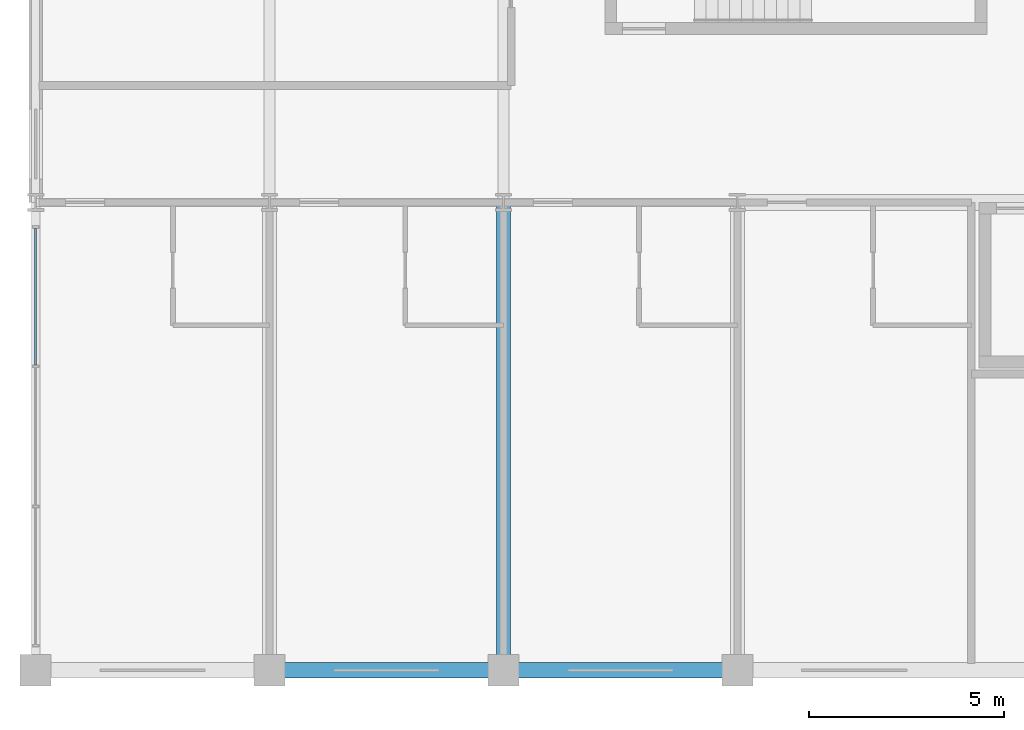
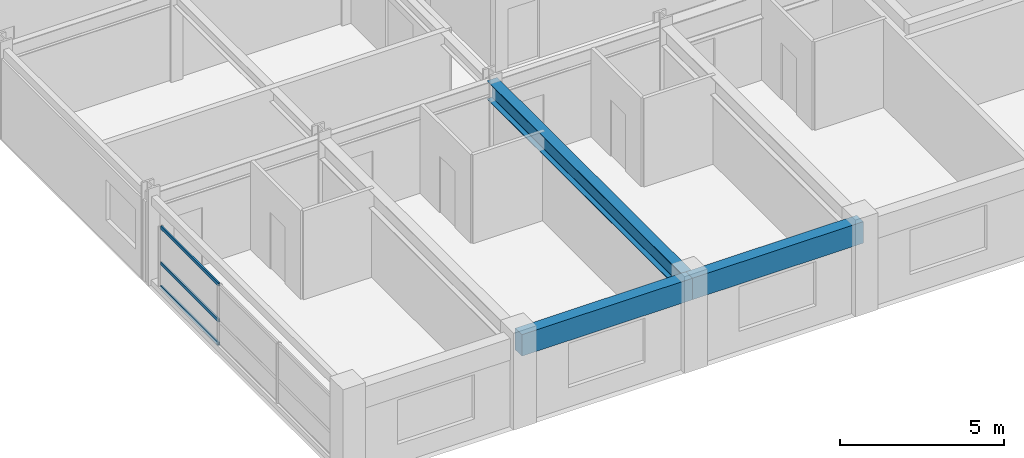
# One storey, part 3 of 27: 3 beams, 3 members, 1 element without a shape of its own.
"""IFC4 building model written with IfcOpenShell, lengths in metres."""

from ifc_helpers import new_model, si_unit, direction, frame, origin, origin_2d, place, context, subcontext, project, spatial, rectangle, hollow_rectangle, i_section, extrude, material, material_profile, profile_set, type_object, element, aggregate, save


model = new_model("IFC4")

# Units and contexts
model_context = context("Model", 3, precision=1e-05, world=origin(), true_north=direction((0.0, 1.0)))
body_context = subcontext(model_context, "Body", "Model", "MODEL_VIEW")
ifc_project = project(units=[si_unit("LENGTHUNIT", "METRE"), si_unit("AREAUNIT", "SQUARE_METRE"), si_unit("VOLUMEUNIT", "CUBIC_METRE"), si_unit("PLANEANGLEUNIT", "RADIAN"), si_unit("MASSUNIT", "GRAM", prefix="KILO")], contexts=[model_context])

# Site, building, storey
site_placement = place(None, origin())
site = spatial("IfcSite", under=ifc_project, at=site_placement, CompositionType="ELEMENT")
building_placement = place(site_placement, origin())
building = spatial("IfcBuilding", under=site, at=building_placement, Name="Kaldorvane Square Convention Centre", CompositionType="ELEMENT")
storey_placement = place(building_placement, frame((0.0, 0.0, 38.399993896484375)))
storey = spatial("IfcBuildingStorey", under=building, at=storey_placement, Name="L08", CompositionType="ELEMENT", Elevation=38.399993896484375)

# Beams
ifc_material_1 = material(Name="Steel ASTM A992 Gr. 50", Category="steel")
ifc_material_profile_1 = material_profile(ifc_material_1, i_section(OverallWidth=0.354705810546875, OverallDepth=0.69549560546875, WebThickness=0.0153961181640625, FlangeThickness=0.0251007080078125, FilletRadius=0.01519775390625, at=origin_2d()), Name="W27X146")
ifc_profile_set_1 = profile_set([ifc_material_profile_1], Name="Steel ASTM A992 Gr. 50")
beam_type_1 = type_object("IfcBeamType", Name="BM-GR-W27X146", PredefinedType="BEAM", material=ifc_profile_set_1)
beam_placement = place(storey_placement, frame((36.0, 84.0, 2.9383087158203125), z_axis=(0.0, 1.0, 0.0), x_axis=(-1.0, 0.0, 0.0)))
element("IfcBeam", 1, at=beam_placement, inside=storey, type_object=beam_type_1, Name="Transverse Girder (L08)", PredefinedType="BEAM", context=body_context, shape_type="SweptSolid", body=[
    extrude(i_section(OverallWidth=0.354705810546875, OverallDepth=0.69549560546875, WebThickness=0.0153961181640625, FlangeThickness=0.0251007080078125, FilletRadius=0.01519775390625, at=origin_2d()), origin(), (0.0, 0.0, 1.0), 12.0),
])
ifc_material_2 = material(Name="Concrete f'c = 42 MPa (Normalweight)", Category="concrete")
ifc_material_profile_2 = material_profile(ifc_material_2, rectangle(XDim=0.399993896484375, YDim=0.8000030517578125, at=origin_2d()), Name="RCSP800X400")
ifc_profile_set_2 = profile_set([ifc_material_profile_2], Name="Concrete f'c = 42 MPa (Normalweight)")
beam_type_2 = type_object("IfcBeamType", Name="BM-SP-RC800", PredefinedType="SPANDREL", material=ifc_profile_set_2)
for number, where, z_axis, x_axis, name in (
    (2, (30.0, 84.0, 2.8860015869140625), (1.0, 0.0, 0.0), (0.0, 1.0, 0.0), "Perimeter Spandrel (L08)"),
    (3, (36.0, 84.0, 2.8860015869140625), (1.0, 0.0, 0.0), (0.0, 1.0, 0.0), "Perimeter Spandrel (L08)"),
):
    element("IfcBeam", number, at=place(storey_placement, frame(where, z_axis=z_axis, x_axis=x_axis)), inside=storey, type_object=beam_type_2, Name=name, PredefinedType="SPANDREL", context=body_context, shape_type="SweptSolid", body=[
        extrude(rectangle(XDim=0.399993896484375, YDim=0.8000030517578125, at=origin_2d()), origin(), (0.0, 0.0, 1.0), 6.0),
    ])

# Curtain wall, members
ifc_material_3 = material(Name="Anodized Aluminum and Low-E Insulated Glazing", Category="aluminium")
curtain_wall_type = type_object("IfcCurtainWallType", Name="CW-UNI-HTL-B", PredefinedType="USERDEFINED", material=ifc_material_3)
curtain_wall_placement = place(storey_placement, origin())
curtain_wall = element("IfcCurtainWall", 4, at=curtain_wall_placement, inside=storey, type_object=curtain_wall_type, Name="Curtain Wall CW-11 (L08)", ObjectType="UNITISED GLAZING", PredefinedType="USERDEFINED")
ifc_material_profile_3 = material_profile(ifc_material_3, hollow_rectangle(XDim=0.05499267578125, YDim=0.1199951171875, WallThickness=0.0030059814453125, at=origin_2d()), Name="CWT-120X55")
ifc_profile_set_3 = profile_set([ifc_material_profile_3], Name="Anodized Aluminum and Low-E Insulated Glazing")
member_type = type_object("IfcMemberType", Name="CW-TRN-120", PredefinedType="USERDEFINED", material=ifc_profile_set_3)
member_1_placement = place(storey_placement, frame((24.0, 95.33999633789062, 0.1775054931640625), z_axis=(0.0, -1.0, 0.0), x_axis=(1.0, 0.0, 0.0)))
member_1 = element("IfcMember", 5, at=member_1_placement, type_object=member_type, Name="CW-11 transom 1.1", ObjectType="TRANSOM", PredefinedType="USERDEFINED", context=body_context, shape_type="SweptSolid", body=[
    extrude(hollow_rectangle(XDim=0.05499267578125, YDim=0.1199951171875, WallThickness=0.0030059814453125, at=origin_2d()), origin(), (0.0, 0.0, 1.0), 3.5099945068359375),
])
member_2_placement = place(storey_placement, frame((24.0, 95.33999633789062, 1.0500030517578125), z_axis=(0.0, -1.0, 0.0), x_axis=(1.0, 0.0, 0.0)))
member_2 = element("IfcMember", 6, at=member_2_placement, type_object=member_type, Name="CW-11 transom 1.2", ObjectType="TRANSOM", PredefinedType="USERDEFINED", context=body_context, shape_type="SweptSolid", body=[
    extrude(hollow_rectangle(XDim=0.05499267578125, YDim=0.1199951171875, WallThickness=0.0030059814453125, at=origin_2d()), origin(), (0.0, 0.0, 1.0), 3.5099945068359375),
])
member_3_placement = place(storey_placement, frame((24.0, 95.33999633789062, 2.38250732421875), z_axis=(0.0, -1.0, 0.0), x_axis=(1.0, 0.0, 0.0)))
member_3 = element("IfcMember", 7, at=member_3_placement, type_object=member_type, Name="CW-11 transom 1.3", ObjectType="TRANSOM", PredefinedType="USERDEFINED", context=body_context, shape_type="SweptSolid", body=[
    extrude(hollow_rectangle(XDim=0.05499267578125, YDim=0.1199951171875, WallThickness=0.0030059814453125, at=origin_2d()), origin(), (0.0, 0.0, 1.0), 3.5099945068359375),
])
aggregate(curtain_wall, [member_1, member_2, member_3])

save(model, "model.ifc")
